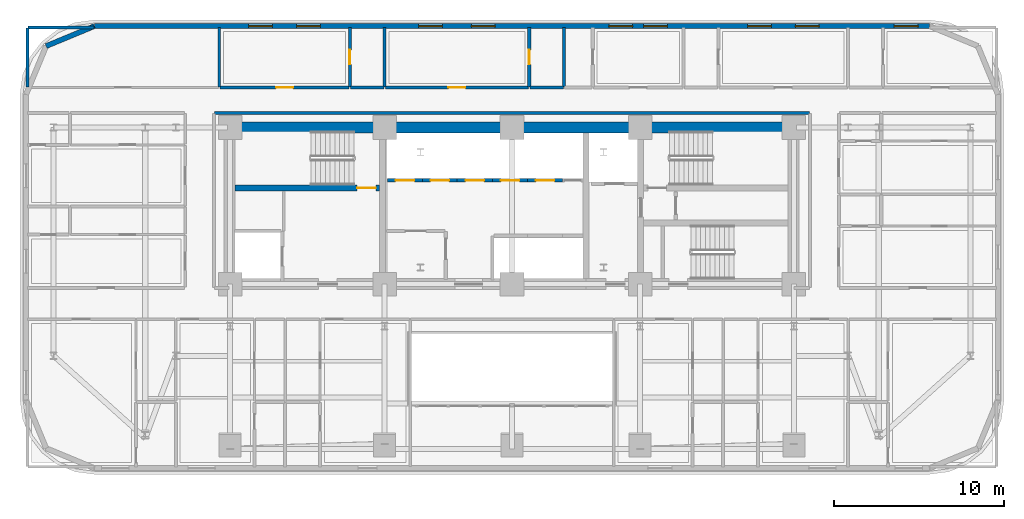
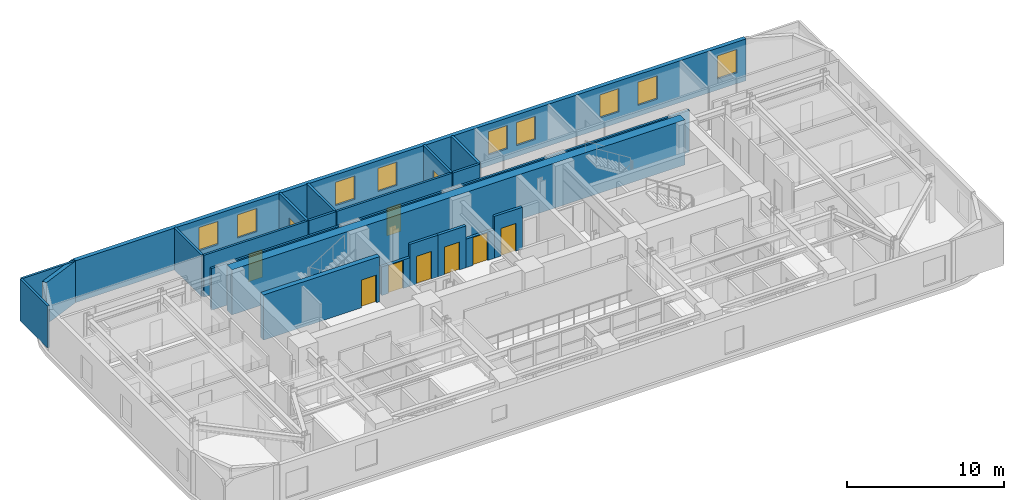
# One storey, part 10 of 16: 21 walls, 10 doors, 9 windows, 19 openings.
"""IFC4 building model written with IfcOpenShell, lengths in metres."""

from ifc_helpers import new_model, si_unit, direction, frame, frame_2d, origin, place, context, subcontext, project, spatial, rectangle, extrude, material, layer, layer_set, type_object, element, fill, save


model = new_model("IFC4")

# Units and contexts
model_context = context("Model", 3, precision=1e-05, world=origin(), true_north=direction((0.0, 1.0)))
body_context = subcontext(model_context, "Body", "Model", "MODEL_VIEW")
ifc_project = project(units=[si_unit("LENGTHUNIT", "METRE"), si_unit("AREAUNIT", "SQUARE_METRE"), si_unit("VOLUMEUNIT", "CUBIC_METRE"), si_unit("PLANEANGLEUNIT", "RADIAN"), si_unit("MASSUNIT", "GRAM", prefix="KILO")], contexts=[model_context])

# Site, building, storey
site_placement = place(None, origin())
site = spatial("IfcSite", under=ifc_project, at=site_placement, CompositionType="ELEMENT")
building_placement = place(site_placement, origin())
building = spatial("IfcBuilding", under=site, at=building_placement, Name="Zarnavel Station Tower", CompositionType="ELEMENT")
storey_placement = place(building_placement, frame((0.0, 0.0, 86.300048828125)))
storey = spatial("IfcBuildingStorey", under=building, at=storey_placement, Name="L23", CompositionType="ELEMENT", Elevation=86.300048828125)

# Wall, opening, door
ifc_material_1 = material(Name="Concrete C50/60", Category="concrete")
ifc_layer_1 = layer(ifc_material_1, 0.35009765625)
ifc_layer_set_1 = layer_set([ifc_layer_1], Name="CW_350")
wall_type_1 = type_object("IfcWallType", Name="CW_350", PredefinedType="SHEAR", material=ifc_layer_set_1)
wall_1_placement = place(storey_placement, frame((21.0048828125, 33.47998046875, 0.0), z_axis=(0.0, 0.0, 1.0), x_axis=(-1.0, 0.0, 0.0)))
wall_1 = element("IfcWall", 1, at=wall_1_placement, inside=storey, type_object=wall_type_1, Name="L23 Rear Core Shear Wall DIV-H1", PredefinedType="SHEAR", context=body_context, shape_type="SweptSolid", body=[
    extrude(rectangle(XDim=8.52978515625, YDim=0.35009765625, at=frame_2d((4.264892578125, 0.0))), origin(), (0.0, 0.0, 1.0), 3.5),
])
opening_1_placement = place(wall_1_placement, frame((0.219970703125, 0.0, 0.0)))
opening_1 = element("IfcOpeningElement", 2, at=opening_1_placement, cuts=wall_1, Name="Opening FD01", PredefinedType="OPENING", context=body_context, shape_type="SweptSolid", body=[
    extrude(rectangle(XDim=1.10009765625, YDim=2.14990234375, at=frame_2d((0.550048828125, 1.074951171875))), frame((0.0, 0.18505859375, 0.0), z_axis=(0.0, -1.0, 0.0), x_axis=(1.0, 0.0, 0.0)), (0.0, 0.0, 1.0), 0.3701171875),
])
ifc_material_2 = material(Name="Painted Galvanised Steel and Hardwood Leaf", Category="steel")
door_type_1 = type_object("IfcDoorType", Name="ID_STAIR_1100", OperationType="NOTDEFINED", PredefinedType="DOOR", material=ifc_material_2)
door_1_placement = place(opening_1_placement, origin())
door_1 = element("IfcDoor", 3, at=door_1_placement, inside=storey, type_object=door_type_1, Name="L23 Stair ST1 Lobby Fire Door", OperationType="SINGLE_SWING_LEFT", OverallHeight=2.14990234375, OverallWidth=1.10009765625, PredefinedType="DOOR", context=body_context, shape_type="SweptSolid", body=[
    extrude(rectangle(XDim=1.10009765625, YDim=2.14990234375, at=frame_2d((0.550048828125, 1.074951171875))), frame((0.0, 0.02490234375, 0.0), z_axis=(0.0, -1.0, 0.0), x_axis=(1.0, 0.0, 0.0)), (0.0, 0.0, 1.0), 0.050048828125),
])
fill(opening_1, door_1)

# Wall
ifc_material_3 = material(Name="Concrete C60/75", Category="concrete")
ifc_layer_2 = layer(ifc_material_3, 0.64990234375)
ifc_layer_set_2 = layer_set([ifc_layer_2], Name="CW_650")
wall_type_2 = type_object("IfcWallType", Name="CW_650", PredefinedType="SHEAR", material=ifc_layer_set_2)
wall_2_placement = place(storey_placement, frame((12.14990234375, 37.050048828125, 0.0), z_axis=(0.0, 0.0, 1.0), x_axis=(1.0, 0.0, 0.0)))
element("IfcWall", 4, at=wall_2_placement, inside=storey, type_object=wall_type_2, Name="L23 Rear Core Shear Wall N", PredefinedType="SHEAR", context=body_context, shape_type="SweptSolid", body=[
    extrude(rectangle(XDim=33.22998046875, YDim=0.64990234375, at=frame_2d((16.614990234375, 0.0))), origin(), (0.0, 0.0, 1.0), 3.5),
])

# Wall, openings, windows
ifc_material_4 = material(Name="Precast concrete C45/55 (Dark Basalt Finish)", Category="masonry")
ifc_layer_3 = layer(ifc_material_4, 0.300048828125)
ifc_layer_set_3 = layer_set([ifc_layer_3], Name="EW_BASALT_300")
wall_type_3 = type_object("IfcWallType", Name="EW_BASALT_300", PredefinedType="SOLIDWALL", material=ifc_layer_set_3)
wall_3_placement = place(storey_placement, frame((4.199951171875, 43.02001953125, 0.0), z_axis=(0.0, 0.0, 1.0), x_axis=(1.0, 0.0, 0.0)))
wall_3 = element("IfcWall", 5, at=wall_3_placement, inside=storey, type_object=wall_type_3, Name="L23 Exterior Basalt Masonry Frame Wall 06", PredefinedType="SOLIDWALL", context=body_context, shape_type="SweptSolid", body=[
    extrude(rectangle(XDim=49.199951171875, YDim=0.300048828125, at=frame_2d((24.60009765625, 0.0))), origin(), (0.0, 0.0, 1.0), 3.239990234375),
])
opening_2_placement = place(wall_3_placement, frame((9.090087890625, 0.0, 0.85009765625)))
opening_2 = element("IfcOpeningElement", 6, at=opening_2_placement, cuts=wall_3, Name="Opening WN01", PredefinedType="OPENING", context=body_context, shape_type="SweptSolid", body=[
    extrude(rectangle(XDim=1.39990234375, YDim=1.800048828125, at=frame_2d((0.699951171875, 0.89990234375))), frame((0.0, 0.159912109375, 0.0), z_axis=(0.0, -1.0, 0.0), x_axis=(1.0, 0.0, 0.0)), (0.0, 0.0, 1.0), 0.320068359375),
])
opening_3_placement = place(wall_3_placement, frame((11.919921875, 0.0, 0.85009765625)))
opening_3 = element("IfcOpeningElement", 7, at=opening_3_placement, cuts=wall_3, Name="Opening WN01", PredefinedType="OPENING", context=body_context, shape_type="SweptSolid", body=[
    extrude(rectangle(XDim=1.39990234375, YDim=1.800048828125, at=frame_2d((0.699951171875, 0.89990234375))), frame((0.0, 0.159912109375, 0.0), z_axis=(0.0, -1.0, 0.0), x_axis=(1.0, 0.0, 0.0)), (0.0, 0.0, 1.0), 0.320068359375),
])
opening_4_placement = place(wall_3_placement, frame((19.10498046875, 0.0, 0.85009765625)))
opening_4 = element("IfcOpeningElement", 8, at=opening_4_placement, cuts=wall_3, Name="Opening WN01", PredefinedType="OPENING", context=body_context, shape_type="SweptSolid", body=[
    extrude(rectangle(XDim=1.39990234375, YDim=1.800048828125, at=frame_2d((0.699951171875, 0.89990234375))), frame((0.0, 0.159912109375, 0.0), z_axis=(0.0, -1.0, 0.0), x_axis=(1.0, 0.0, 0.0)), (0.0, 0.0, 1.0), 0.320068359375),
])
opening_5_placement = place(wall_3_placement, frame((22.2099609375, 0.0, 0.85009765625)))
opening_5 = element("IfcOpeningElement", 9, at=opening_5_placement, cuts=wall_3, Name="Opening WN01", PredefinedType="OPENING", context=body_context, shape_type="SweptSolid", body=[
    extrude(rectangle(XDim=1.39990234375, YDim=1.800048828125, at=frame_2d((0.699951171875, 0.89990234375))), frame((0.0, 0.159912109375, 0.0), z_axis=(0.0, -1.0, 0.0), x_axis=(1.0, 0.0, 0.0)), (0.0, 0.0, 1.0), 0.320068359375),
])
opening_6_placement = place(wall_3_placement, frame((30.305908203125, 0.0, 0.85009765625)))
opening_6 = element("IfcOpeningElement", 10, at=opening_6_placement, cuts=wall_3, Name="Opening WN01", PredefinedType="OPENING", context=body_context, shape_type="SweptSolid", body=[
    extrude(rectangle(XDim=1.39990234375, YDim=1.800048828125, at=frame_2d((0.699951171875, 0.89990234375))), frame((0.0, 0.159912109375, 0.0), z_axis=(0.0, -1.0, 0.0), x_axis=(1.0, 0.0, 0.0)), (0.0, 0.0, 1.0), 0.320068359375),
])
opening_7_placement = place(wall_3_placement, frame((32.35693359375, 0.0, 0.85009765625)))
opening_7 = element("IfcOpeningElement", 11, at=opening_7_placement, cuts=wall_3, Name="Opening WN01", PredefinedType="OPENING", context=body_context, shape_type="SweptSolid", body=[
    extrude(rectangle(XDim=1.39990234375, YDim=1.800048828125, at=frame_2d((0.699951171875, 0.89990234375))), frame((0.0, 0.159912109375, 0.0), z_axis=(0.0, -1.0, 0.0), x_axis=(1.0, 0.0, 0.0)), (0.0, 0.0, 1.0), 0.320068359375),
])
opening_8_placement = place(wall_3_placement, frame((38.471923828125, 0.0, 0.85009765625)))
opening_8 = element("IfcOpeningElement", 12, at=opening_8_placement, cuts=wall_3, Name="Opening WN01", PredefinedType="OPENING", context=body_context, shape_type="SweptSolid", body=[
    extrude(rectangle(XDim=1.39990234375, YDim=1.800048828125, at=frame_2d((0.699951171875, 0.89990234375))), frame((0.0, 0.159912109375, 0.0), z_axis=(0.0, -1.0, 0.0), x_axis=(1.0, 0.0, 0.0)), (0.0, 0.0, 1.0), 0.320068359375),
])
opening_9_placement = place(wall_3_placement, frame((41.285888671875, 0.0, 0.85009765625)))
opening_9 = element("IfcOpeningElement", 13, at=opening_9_placement, cuts=wall_3, Name="Opening WN01", PredefinedType="OPENING", context=body_context, shape_type="SweptSolid", body=[
    extrude(rectangle(XDim=1.39990234375, YDim=1.800048828125, at=frame_2d((0.699951171875, 0.89990234375))), frame((0.0, 0.159912109375, 0.0), z_axis=(0.0, -1.0, 0.0), x_axis=(1.0, 0.0, 0.0)), (0.0, 0.0, 1.0), 0.320068359375),
])
opening_10_placement = place(wall_3_placement, frame((47.114990234375, 0.0, 0.85009765625)))
opening_10 = element("IfcOpeningElement", 14, at=opening_10_placement, cuts=wall_3, Name="Opening WN01", PredefinedType="OPENING", context=body_context, shape_type="SweptSolid", body=[
    extrude(rectangle(XDim=1.39990234375, YDim=1.800048828125, at=frame_2d((0.699951171875, 0.89990234375))), frame((0.0, 0.159912109375, 0.0), z_axis=(0.0, -1.0, 0.0), x_axis=(1.0, 0.0, 0.0)), (0.0, 0.0, 1.0), 0.320068359375),
])
ifc_material_5 = material(Name="Thermally Broken Black Aluminium and Low-E Dark Glass", Category="aluminium")
window_type = type_object("IfcWindowType", Name="WN_1400x1800", PartitioningType="DOUBLE_PANEL_VERTICAL", PredefinedType="WINDOW", material=ifc_material_5)
window_1_placement = place(opening_2_placement, origin())
window_1 = element("IfcWindow", 15, at=window_1_placement, inside=storey, type_object=window_type, Name="L23 Recessed Facade Window 01", OverallHeight=1.800048828125, OverallWidth=1.39990234375, PartitioningType="SINGLE_PANEL", PredefinedType="WINDOW", context=body_context, shape_type="SweptSolid", body=[
    extrude(rectangle(XDim=1.39990234375, YDim=1.800048828125, at=frame_2d((0.699951171875, 0.89990234375))), frame((0.0, 0.030029296875, 0.0), z_axis=(0.0, -1.0, 0.0), x_axis=(1.0, 0.0, 0.0)), (0.0, 0.0, 1.0), 0.06005859375),
])
fill(opening_2, window_1)
window_2_placement = place(opening_3_placement, origin())
window_2 = element("IfcWindow", 16, at=window_2_placement, inside=storey, type_object=window_type, Name="L23 Recessed Facade Window 02", OverallHeight=1.800048828125, OverallWidth=1.39990234375, PartitioningType="SINGLE_PANEL", PredefinedType="WINDOW", context=body_context, shape_type="SweptSolid", body=[
    extrude(rectangle(XDim=1.39990234375, YDim=1.800048828125, at=frame_2d((0.699951171875, 0.89990234375))), frame((0.0, 0.030029296875, 0.0), z_axis=(0.0, -1.0, 0.0), x_axis=(1.0, 0.0, 0.0)), (0.0, 0.0, 1.0), 0.06005859375),
])
fill(opening_3, window_2)
window_3_placement = place(opening_4_placement, origin())
window_3 = element("IfcWindow", 17, at=window_3_placement, inside=storey, type_object=window_type, Name="L23 Recessed Facade Window 03", OverallHeight=1.800048828125, OverallWidth=1.39990234375, PartitioningType="SINGLE_PANEL", PredefinedType="WINDOW", context=body_context, shape_type="SweptSolid", body=[
    extrude(rectangle(XDim=1.39990234375, YDim=1.800048828125, at=frame_2d((0.699951171875, 0.89990234375))), frame((0.0, 0.030029296875, 0.0), z_axis=(0.0, -1.0, 0.0), x_axis=(1.0, 0.0, 0.0)), (0.0, 0.0, 1.0), 0.06005859375),
])
fill(opening_4, window_3)
window_4_placement = place(opening_5_placement, origin())
window_4 = element("IfcWindow", 18, at=window_4_placement, inside=storey, type_object=window_type, Name="L23 Recessed Facade Window 04", OverallHeight=1.800048828125, OverallWidth=1.39990234375, PartitioningType="SINGLE_PANEL", PredefinedType="WINDOW", context=body_context, shape_type="SweptSolid", body=[
    extrude(rectangle(XDim=1.39990234375, YDim=1.800048828125, at=frame_2d((0.699951171875, 0.89990234375))), frame((0.0, 0.030029296875, 0.0), z_axis=(0.0, -1.0, 0.0), x_axis=(1.0, 0.0, 0.0)), (0.0, 0.0, 1.0), 0.06005859375),
])
fill(opening_5, window_4)
window_5_placement = place(opening_6_placement, origin())
window_5 = element("IfcWindow", 19, at=window_5_placement, inside=storey, type_object=window_type, Name="L23 Recessed Facade Window 05", OverallHeight=1.800048828125, OverallWidth=1.39990234375, PartitioningType="SINGLE_PANEL", PredefinedType="WINDOW", context=body_context, shape_type="SweptSolid", body=[
    extrude(rectangle(XDim=1.39990234375, YDim=1.800048828125, at=frame_2d((0.699951171875, 0.89990234375))), frame((0.0, 0.030029296875, 0.0), z_axis=(0.0, -1.0, 0.0), x_axis=(1.0, 0.0, 0.0)), (0.0, 0.0, 1.0), 0.06005859375),
])
fill(opening_6, window_5)
window_6_placement = place(opening_7_placement, origin())
window_6 = element("IfcWindow", 20, at=window_6_placement, inside=storey, type_object=window_type, Name="L23 Recessed Facade Window 06", OverallHeight=1.800048828125, OverallWidth=1.39990234375, PartitioningType="SINGLE_PANEL", PredefinedType="WINDOW", context=body_context, shape_type="SweptSolid", body=[
    extrude(rectangle(XDim=1.39990234375, YDim=1.800048828125, at=frame_2d((0.699951171875, 0.89990234375))), frame((0.0, 0.030029296875, 0.0), z_axis=(0.0, -1.0, 0.0), x_axis=(1.0, 0.0, 0.0)), (0.0, 0.0, 1.0), 0.06005859375),
])
fill(opening_7, window_6)
window_7_placement = place(opening_8_placement, origin())
window_7 = element("IfcWindow", 21, at=window_7_placement, inside=storey, type_object=window_type, Name="L23 Recessed Facade Window 07", OverallHeight=1.800048828125, OverallWidth=1.39990234375, PartitioningType="SINGLE_PANEL", PredefinedType="WINDOW", context=body_context, shape_type="SweptSolid", body=[
    extrude(rectangle(XDim=1.39990234375, YDim=1.800048828125, at=frame_2d((0.699951171875, 0.89990234375))), frame((0.0, 0.030029296875, 0.0), z_axis=(0.0, -1.0, 0.0), x_axis=(1.0, 0.0, 0.0)), (0.0, 0.0, 1.0), 0.06005859375),
])
fill(opening_8, window_7)
window_8_placement = place(opening_9_placement, origin())
window_8 = element("IfcWindow", 22, at=window_8_placement, inside=storey, type_object=window_type, Name="L23 Recessed Facade Window 08", OverallHeight=1.800048828125, OverallWidth=1.39990234375, PartitioningType="SINGLE_PANEL", PredefinedType="WINDOW", context=body_context, shape_type="SweptSolid", body=[
    extrude(rectangle(XDim=1.39990234375, YDim=1.800048828125, at=frame_2d((0.699951171875, 0.89990234375))), frame((0.0, 0.030029296875, 0.0), z_axis=(0.0, -1.0, 0.0), x_axis=(1.0, 0.0, 0.0)), (0.0, 0.0, 1.0), 0.06005859375),
])
fill(opening_9, window_8)
window_9_placement = place(opening_10_placement, origin())
window_9 = element("IfcWindow", 23, at=window_9_placement, inside=storey, type_object=window_type, Name="L23 Recessed Facade Window 09", OverallHeight=1.800048828125, OverallWidth=1.39990234375, PartitioningType="SINGLE_PANEL", PredefinedType="WINDOW", context=body_context, shape_type="SweptSolid", body=[
    extrude(rectangle(XDim=1.39990234375, YDim=1.800048828125, at=frame_2d((0.699951171875, 0.89990234375))), frame((0.0, 0.030029296875, 0.0), z_axis=(0.0, -1.0, 0.0), x_axis=(1.0, 0.0, 0.0)), (0.0, 0.0, 1.0), 0.06005859375),
])
fill(opening_10, window_9)

# Wall
wall_4_placement = place(storey_placement, frame((1.357421875, 41.842529296875, 0.0), z_axis=(0.0, 0.0, 1.0), x_axis=(0.923870793506, 0.382704529509, 0.0)))
element("IfcWall", 24, at=wall_4_placement, inside=storey, type_object=wall_type_3, Name="L23 Exterior Basalt Masonry Frame Wall 07", PredefinedType="SOLIDWALL", context=body_context, shape_type="SweptSolid", body=[
    extrude(rectangle(XDim=3.07666015625, YDim=0.300048828125, at=frame_2d((1.538330078125, 0.0))), origin(), (0.0, 0.0, 1.0), 3.239990234375),
])

# Wall, opening, door
ifc_material_6 = material(Name="Gypsum Twin-Stud Acoustic Fire Partition", Category="concrete")
ifc_layer_4 = layer(ifc_material_6, 0.159912109375)
ifc_layer_set_4 = layer_set([ifc_layer_4], Name="PT_DEMISE_160")
wall_type_4 = type_object("IfcWallType", Name="PT_DEMISE_160", PredefinedType="PARTITIONING", material=ifc_layer_set_4)
wall_5_placement = place(storey_placement, frame((11.60009765625, 39.39990234375, 0.0), z_axis=(0.0, 0.0, 1.0), x_axis=(1.0, 0.0, 0.0)))
wall_5 = element("IfcWall", 25, at=wall_5_placement, inside=storey, type_object=wall_type_4, Name="L23 Partition COR-N-HN1R", PredefinedType="PARTITIONING", context=body_context, shape_type="SweptSolid", body=[
    extrude(rectangle(XDim=7.60986328125, YDim=0.159912109375, at=frame_2d((3.804931640625, 0.0))), origin(), (0.0, 0.0, 1.0), 3.239990234375),
])
opening_11_placement = place(wall_5_placement, frame((3.304931640625, 0.0, 0.0)))
opening_11 = element("IfcOpeningElement", 26, at=opening_11_placement, cuts=wall_5, Name="Opening FD02", PredefinedType="OPENING", context=body_context, shape_type="SweptSolid", body=[
    extrude(rectangle(XDim=1.0, YDim=2.14990234375, at=frame_2d((0.5, 1.074951171875))), frame((0.0, 0.08984375, 0.0), z_axis=(0.0, -1.0, 0.0), x_axis=(1.0, 0.0, 0.0)), (0.0, 0.0, 1.0), 0.179931640625),
])
ifc_material_7 = material(Name="Painted Galvanised Steel and Hardwood Leaf", Category="steel")
door_type_2 = type_object("IfcDoorType", Name="ID_ENTRY_1000", OperationType="NOTDEFINED", PredefinedType="DOOR", material=ifc_material_7)
door_2_placement = place(opening_11_placement, origin())
door_2 = element("IfcDoor", 27, at=door_2_placement, inside=storey, type_object=door_type_2, Name="L23 Door COR-N-HN1R", OperationType="SINGLE_SWING_RIGHT", OverallHeight=2.14990234375, OverallWidth=1.0, PredefinedType="DOOR", context=body_context, shape_type="SweptSolid", body=[
    extrude(rectangle(XDim=1.0, YDim=2.14990234375, at=frame_2d((0.5, 1.074951171875))), frame((0.0, 0.02490234375, 0.0), z_axis=(0.0, -1.0, 0.0), x_axis=(1.0, 0.0, 0.0)), (0.0, 0.0, 1.0), 0.050048828125),
])
fill(opening_11, door_2)

wall_6_placement = place(storey_placement, frame((21.340087890625, 39.39990234375, 0.0), z_axis=(0.0, 0.0, 1.0), x_axis=(1.0, 0.0, 0.0)))
wall_6 = element("IfcWall", 28, at=wall_6_placement, inside=storey, type_object=wall_type_4, Name="L23 Partition COR-N-HN2R", PredefinedType="PARTITIONING", context=body_context, shape_type="SweptSolid", body=[
    extrude(rectangle(XDim=8.434814453125, YDim=0.159912109375, at=frame_2d((4.21728515625, 0.0))), origin(), (0.0, 0.0, 1.0), 3.239990234375),
])
opening_12_placement = place(wall_6_placement, frame((3.717529296875, 0.0, 0.0)))
opening_12 = element("IfcOpeningElement", 29, at=opening_12_placement, cuts=wall_6, Name="Opening FD02", PredefinedType="OPENING", context=body_context, shape_type="SweptSolid", body=[
    extrude(rectangle(XDim=1.0, YDim=2.14990234375, at=frame_2d((0.5, 1.074951171875))), frame((0.0, 0.08984375, 0.0), z_axis=(0.0, -1.0, 0.0), x_axis=(1.0, 0.0, 0.0)), (0.0, 0.0, 1.0), 0.179931640625),
])
door_3_placement = place(opening_12_placement, origin())
door_3 = element("IfcDoor", 30, at=door_3_placement, inside=storey, type_object=door_type_2, Name="L23 Door COR-N-HN2R", OperationType="SINGLE_SWING_LEFT", OverallHeight=2.14990234375, OverallWidth=1.0, PredefinedType="DOOR", context=body_context, shape_type="SweptSolid", body=[
    extrude(rectangle(XDim=1.0, YDim=2.14990234375, at=frame_2d((0.5, 1.074951171875))), frame((0.0, 0.02490234375, 0.0), z_axis=(0.0, -1.0, 0.0), x_axis=(1.0, 0.0, 0.0)), (0.0, 0.0, 1.0), 0.050048828125),
])
fill(opening_12, door_3)

# Walls
wall_7_placement = place(storey_placement, frame((11.56005859375, 39.43994140625, 0.0), z_axis=(0.0, 0.0, 1.0), x_axis=(0.0, 1.0, 0.0)))
element("IfcWall", 31, at=wall_7_placement, inside=storey, type_object=wall_type_4, Name="L23 Partition HSKP-HN1R", PredefinedType="PARTITIONING", context=body_context, shape_type="SweptSolid", body=[
    extrude(rectangle(XDim=3.5, YDim=0.159912109375, at=frame_2d((1.75, 0.0))), origin(), (0.0, 0.0, 1.0), 3.239990234375),
])
wall_8_placement = place(storey_placement, frame((11.280029296875, 37.89990234375, 0.0), z_axis=(0.0, 0.0, 1.0), x_axis=(1.0, 0.0, 0.0)))
element("IfcWall", 32, at=wall_8_placement, inside=storey, type_object=wall_type_4, Name="L23 Enclosure Wall COR-N", PredefinedType="PARTITIONING", context=body_context, shape_type="SweptSolid", body=[
    extrude(rectangle(XDim=35.0400390625, YDim=0.159912109375, at=frame_2d((17.52001953125, 0.0))), origin(), (0.0, 0.0, 1.0), 3.239990234375),
])
wall_9_placement = place(storey_placement, frame((0.2900390625, 42.93994140625, 0.0), z_axis=(0.0, 0.0, 1.0), x_axis=(1.0, 0.0, 0.0)))
element("IfcWall", 33, at=wall_9_placement, inside=storey, type_object=wall_type_4, Name="L23 Enclosure Wall HSKP", PredefinedType="PARTITIONING", context=body_context, shape_type="SweptSolid", body=[
    extrude(rectangle(XDim=3.8798828125, YDim=0.159912109375, at=frame_2d((1.93994140625, 0.0))), origin(), (0.0, 0.0, 1.0), 3.239990234375),
])
wall_10_placement = place(storey_placement, frame((0.260009765625, 39.429931640625, 0.0), z_axis=(0.0, 0.0, 1.0), x_axis=(0.0, 1.0, 0.0)))
element("IfcWall", 34, at=wall_10_placement, inside=storey, type_object=wall_type_4, Name="L23 Enclosure Wall HSKP", PredefinedType="PARTITIONING", context=body_context, shape_type="SweptSolid", body=[
    extrude(rectangle(XDim=3.47998046875, YDim=0.159912109375, at=frame_2d((1.739990234375, 0.0))), origin(), (0.0, 0.0, 1.0), 3.239990234375),
])

# Wall, opening, door
ifc_material_8 = material(Name="Precast concrete C45/55 (Fire Shaft Blockwork)", Category="masonry")
ifc_layer_5 = layer(ifc_material_8, 0.199951171875)
ifc_layer_set_5 = layer_set([ifc_layer_5], Name="PT_SHAFT_200")
wall_type_5 = type_object("IfcWallType", Name="PT_SHAFT_200", PredefinedType="PARTITIONING", material=ifc_layer_set_5)
wall_11_placement = place(storey_placement, frame((21.4599609375, 33.929931640625, 0.0), z_axis=(0.0, 0.0, 1.0), x_axis=(1.0, 0.0, 0.0)))
wall_11 = element("IfcWall", 35, at=wall_11_placement, inside=storey, type_object=wall_type_5, Name="L23 Lift PL-L1 Shaft Front Wall", PredefinedType="PARTITIONING", context=body_context, shape_type="SweptSolid", body=[
    extrude(rectangle(XDim=2.06494140625, YDim=0.199951171875, at=frame_2d((1.032470703125, 0.0))), origin(), (0.0, 0.0, 1.0), 2.2119140625),
])
opening_13_placement = place(wall_11_placement, frame((0.482421875, 0.0, 0.0)))
opening_13 = element("IfcOpeningElement", 36, at=opening_13_placement, cuts=wall_11, Name="Opening LD02", PredefinedType="OPENING", context=body_context, shape_type="SweptSolid", body=[
    extrude(rectangle(XDim=1.10009765625, YDim=2.14990234375, at=frame_2d((0.550048828125, 1.074951171875))), frame((0.0, 0.10986328125, 0.0), z_axis=(0.0, -1.0, 0.0), x_axis=(1.0, 0.0, 0.0)), (0.0, 0.0, 1.0), 0.219970703125),
])
ifc_material_9 = material(Name="Painted Galvanised Steel and Hardwood Leaf", Category="steel")
door_type_3 = type_object("IfcDoorType", Name="LD_PAX_1100", OperationType="DOUBLE_DOOR_SLIDING", PredefinedType="DOOR", material=ifc_material_9)
door_4_placement = place(opening_13_placement, origin())
door_4 = element("IfcDoor", 37, at=door_4_placement, inside=storey, type_object=door_type_3, Name="L23 Lift PL-L1 Sliding Landing Door", OperationType="DOUBLE_DOOR_SLIDING", OverallHeight=2.14990234375, OverallWidth=1.10009765625, PredefinedType="DOOR", context=body_context, shape_type="SweptSolid", body=[
    extrude(rectangle(XDim=1.10009765625, YDim=2.14990234375, at=frame_2d((0.550048828125, 1.074951171875))), frame((0.0, 0.02490234375, 0.0), z_axis=(0.0, -1.0, 0.0), x_axis=(1.0, 0.0, 0.0)), (0.0, 0.0, 1.0), 0.050048828125),
])
fill(opening_13, door_4)

wall_12_placement = place(storey_placement, frame((23.52490234375, 33.929931640625, 0.0), z_axis=(0.0, 0.0, 1.0), x_axis=(1.0, 0.0, 0.0)))
wall_12 = element("IfcWall", 38, at=wall_12_placement, inside=storey, type_object=wall_type_5, Name="L23 Lift PL-L2 Shaft Front Wall", PredefinedType="PARTITIONING", context=body_context, shape_type="SweptSolid", body=[
    extrude(rectangle(XDim=2.050048828125, YDim=0.199951171875, at=frame_2d((1.02490234375, 0.0))), origin(), (0.0, 0.0, 1.0), 3.239990234375),
])
opening_14_placement = place(wall_12_placement, frame((0.47509765625, 0.0, 0.0)))
opening_14 = element("IfcOpeningElement", 39, at=opening_14_placement, cuts=wall_12, Name="Opening LD02", PredefinedType="OPENING", context=body_context, shape_type="SweptSolid", body=[
    extrude(rectangle(XDim=1.10009765625, YDim=2.14990234375, at=frame_2d((0.550048828125, 1.074951171875))), frame((0.0, 0.10986328125, 0.0), z_axis=(0.0, -1.0, 0.0), x_axis=(1.0, 0.0, 0.0)), (0.0, 0.0, 1.0), 0.219970703125),
])
door_5_placement = place(opening_14_placement, origin())
door_5 = element("IfcDoor", 40, at=door_5_placement, inside=storey, type_object=door_type_3, Name="L23 Lift PL-L2 Sliding Landing Door", OperationType="DOUBLE_DOOR_SLIDING", OverallHeight=2.14990234375, OverallWidth=1.10009765625, PredefinedType="DOOR", context=body_context, shape_type="SweptSolid", body=[
    extrude(rectangle(XDim=1.10009765625, YDim=2.14990234375, at=frame_2d((0.550048828125, 1.074951171875))), frame((0.0, 0.02490234375, 0.0), z_axis=(0.0, -1.0, 0.0), x_axis=(1.0, 0.0, 0.0)), (0.0, 0.0, 1.0), 0.050048828125),
])
fill(opening_14, door_5)

wall_13_placement = place(storey_placement, frame((25.574951171875, 33.929931640625, 0.0), z_axis=(0.0, 0.0, 1.0), x_axis=(1.0, 0.0, 0.0)))
wall_13 = element("IfcWall", 41, at=wall_13_placement, inside=storey, type_object=wall_type_5, Name="L23 Lift PL-L3 Shaft Front Wall", PredefinedType="PARTITIONING", context=body_context, shape_type="SweptSolid", body=[
    extrude(rectangle(XDim=2.074951171875, YDim=0.199951171875, at=frame_2d((1.03759765625, 0.0))), origin(), (0.0, 0.0, 1.0), 3.239990234375),
])
opening_15_placement = place(wall_13_placement, frame((0.487548828125, 0.0, 0.0)))
opening_15 = element("IfcOpeningElement", 42, at=opening_15_placement, cuts=wall_13, Name="Opening LD02", PredefinedType="OPENING", context=body_context, shape_type="SweptSolid", body=[
    extrude(rectangle(XDim=1.10009765625, YDim=2.14990234375, at=frame_2d((0.550048828125, 1.074951171875))), frame((0.0, 0.10986328125, 0.0), z_axis=(0.0, -1.0, 0.0), x_axis=(1.0, 0.0, 0.0)), (0.0, 0.0, 1.0), 0.219970703125),
])
door_6_placement = place(opening_15_placement, origin())
door_6 = element("IfcDoor", 43, at=door_6_placement, inside=storey, type_object=door_type_3, Name="L23 Lift PL-L3 Sliding Landing Door", OperationType="DOUBLE_DOOR_SLIDING", OverallHeight=2.14990234375, OverallWidth=1.10009765625, PredefinedType="DOOR", context=body_context, shape_type="SweptSolid", body=[
    extrude(rectangle(XDim=1.10009765625, YDim=2.14990234375, at=frame_2d((0.550048828125, 1.074951171875))), frame((0.0, 0.02490234375, 0.0), z_axis=(0.0, -1.0, 0.0), x_axis=(1.0, 0.0, 0.0)), (0.0, 0.0, 1.0), 0.050048828125),
])
fill(opening_15, door_6)

wall_14_placement = place(storey_placement, frame((27.64990234375, 33.929931640625, 0.0), z_axis=(0.0, 0.0, 1.0), x_axis=(1.0, 0.0, 0.0)))
wall_14 = element("IfcWall", 44, at=wall_14_placement, inside=storey, type_object=wall_type_5, Name="L23 Lift PL-M1 Shaft Front Wall", PredefinedType="PARTITIONING", context=body_context, shape_type="SweptSolid", body=[
    extrude(rectangle(XDim=2.0751953125, YDim=0.199951171875, at=frame_2d((1.03759765625, 0.0))), origin(), (0.0, 0.0, 1.0), 2.2119140625),
])
opening_16_placement = place(wall_14_placement, frame((0.487548828125, 0.0, 0.0)))
opening_16 = element("IfcOpeningElement", 45, at=opening_16_placement, cuts=wall_14, Name="Opening LD02", PredefinedType="OPENING", context=body_context, shape_type="SweptSolid", body=[
    extrude(rectangle(XDim=1.10009765625, YDim=2.14990234375, at=frame_2d((0.550048828125, 1.074951171875))), frame((0.0, 0.10986328125, 0.0), z_axis=(0.0, -1.0, 0.0), x_axis=(1.0, 0.0, 0.0)), (0.0, 0.0, 1.0), 0.219970703125),
])
door_7_placement = place(opening_16_placement, origin())
door_7 = element("IfcDoor", 46, at=door_7_placement, inside=storey, type_object=door_type_3, Name="L23 Lift PL-M1 Sliding Landing Door", OperationType="DOUBLE_DOOR_SLIDING", OverallHeight=2.14990234375, OverallWidth=1.10009765625, PredefinedType="DOOR", context=body_context, shape_type="SweptSolid", body=[
    extrude(rectangle(XDim=1.10009765625, YDim=2.14990234375, at=frame_2d((0.550048828125, 1.074951171875))), frame((0.0, 0.02490234375, 0.0), z_axis=(0.0, -1.0, 0.0), x_axis=(1.0, 0.0, 0.0)), (0.0, 0.0, 1.0), 0.050048828125),
])
fill(opening_16, door_7)

wall_15_placement = place(storey_placement, frame((29.72509765625, 33.929931640625, 0.0), z_axis=(0.0, 0.0, 1.0), x_axis=(1.0, 0.0, 0.0)))
wall_15 = element("IfcWall", 47, at=wall_15_placement, inside=storey, type_object=wall_type_5, Name="L23 Lift PL-M2 Shaft Front Wall", PredefinedType="PARTITIONING", context=body_context, shape_type="SweptSolid", body=[
    extrude(rectangle(XDim=2.0498046875, YDim=0.199951171875, at=frame_2d((1.02490234375, 0.0))), origin(), (0.0, 0.0, 1.0), 3.239990234375),
])
opening_17_placement = place(wall_15_placement, frame((0.47509765625, 0.0, 0.0)))
opening_17 = element("IfcOpeningElement", 48, at=opening_17_placement, cuts=wall_15, Name="Opening LD02", PredefinedType="OPENING", context=body_context, shape_type="SweptSolid", body=[
    extrude(rectangle(XDim=1.10009765625, YDim=2.14990234375, at=frame_2d((0.550048828125, 1.074951171875))), frame((0.0, 0.10986328125, 0.0), z_axis=(0.0, -1.0, 0.0), x_axis=(1.0, 0.0, 0.0)), (0.0, 0.0, 1.0), 0.219970703125),
])
door_8_placement = place(opening_17_placement, origin())
door_8 = element("IfcDoor", 49, at=door_8_placement, inside=storey, type_object=door_type_3, Name="L23 Lift PL-M2 Sliding Landing Door", OperationType="DOUBLE_DOOR_SLIDING", OverallHeight=2.14990234375, OverallWidth=1.10009765625, PredefinedType="DOOR", context=body_context, shape_type="SweptSolid", body=[
    extrude(rectangle(XDim=1.10009765625, YDim=2.14990234375, at=frame_2d((0.550048828125, 1.074951171875))), frame((0.0, 0.02490234375, 0.0), z_axis=(0.0, -1.0, 0.0), x_axis=(1.0, 0.0, 0.0)), (0.0, 0.0, 1.0), 0.050048828125),
])
fill(opening_17, door_8)

# Walls
ifc_material_10 = material(Name="Moisture-Resistant Plumbing Chase Wall", Category="concrete")
ifc_layer_6 = layer(ifc_material_10, 0.179931640625)
ifc_layer_set_6 = layer_set([ifc_layer_6], Name="PW_PLUMB_180")
wall_type_6 = type_object("IfcWallType", Name="PW_PLUMB_180", PredefinedType="PLUMBINGWALL", material=ifc_layer_set_6)
for number, where, z_axis, x_axis, name in (
    (50, (19.2900390625, 39.39990234375, 0.0), (0.0, 0.0, 1.0), (1.0, 0.0, 0.0), "L23 Partition COR-N-HN1B"),
    (51, (29.85498046875, 39.39990234375, 0.0), (0.0, 0.0, 1.0), (1.0, 0.0, 0.0), "L23 Partition COR-N-HN2B"),
):
    element("IfcWall", number, at=place(storey_placement, frame(where, z_axis=z_axis, x_axis=x_axis)), inside=storey, type_object=wall_type_6, Name=name, PredefinedType="PLUMBINGWALL", context=body_context, shape_type="SweptSolid", body=[
        extrude(rectangle(XDim=1.969970703125, YDim=0.179931640625, at=frame_2d((0.98486328125, 0.0))), origin(), (0.0, 0.0, 1.0), 3.239990234375),
    ])

# Wall, opening, door
wall_16_placement = place(storey_placement, frame((19.25, 39.43994140625, 0.0), z_axis=(0.0, 0.0, 1.0), x_axis=(0.0, 1.0, 0.0)))
wall_16 = element("IfcWall", 52, at=wall_16_placement, inside=storey, type_object=wall_type_6, Name="L23 Partition HN1R-HN1B", PredefinedType="PLUMBINGWALL", context=body_context, shape_type="SweptSolid", body=[
    extrude(rectangle(XDim=3.5, YDim=0.179931640625, at=frame_2d((1.75, 0.0))), origin(), (0.0, 0.0, 1.0), 3.239990234375),
])
opening_18_placement = place(wall_16_placement, frame((1.324951171875, 0.0, 0.0)))
opening_18 = element("IfcOpeningElement", 53, at=opening_18_placement, cuts=wall_16, Name="Opening ID02", PredefinedType="OPENING", context=body_context, shape_type="SweptSolid", body=[
    extrude(rectangle(XDim=0.85009765625, YDim=2.10009765625, at=frame_2d((0.425048828125, 1.050048828125))), frame((0.0, 0.099853515625, 0.0), z_axis=(0.0, -1.0, 0.0), x_axis=(1.0, 0.0, 0.0)), (0.0, 0.0, 1.0), 0.199951171875),
])
ifc_material_11 = material(Name="Painted Galvanised Steel and Hardwood Leaf", Category="steel")
door_type_4 = type_object("IfcDoorType", Name="ID_BATH_850", OperationType="NOTDEFINED", PredefinedType="DOOR", material=ifc_material_11)
door_9_placement = place(opening_18_placement, origin())
door_9 = element("IfcDoor", 54, at=door_9_placement, inside=storey, type_object=door_type_4, Name="L23 Door HN1R-HN1B", OperationType="SINGLE_SWING_LEFT", OverallHeight=2.10009765625, OverallWidth=0.85009765625, PredefinedType="DOOR", context=body_context, shape_type="SweptSolid", body=[
    extrude(rectangle(XDim=0.85009765625, YDim=2.10009765625, at=frame_2d((0.425048828125, 1.050048828125))), frame((0.0, 0.02490234375, 0.0), z_axis=(0.0, -1.0, 0.0), x_axis=(1.0, 0.0, 0.0)), (0.0, 0.0, 1.0), 0.050048828125),
])
fill(opening_18, door_9)

# Wall
wall_17_placement = place(storey_placement, frame((21.300048828125, 39.43994140625, 0.0), z_axis=(0.0, 0.0, 1.0), x_axis=(0.0, 1.0, 0.0)))
element("IfcWall", 55, at=wall_17_placement, inside=storey, type_object=wall_type_6, Name="L23 Partition HN1B-HN2R", PredefinedType="PLUMBINGWALL", context=body_context, shape_type="SweptSolid", body=[
    extrude(rectangle(XDim=3.5, YDim=0.179931640625, at=frame_2d((1.75, 0.0))), origin(), (0.0, 0.0, 1.0), 3.239990234375),
])

# Wall, opening, door
wall_18_placement = place(storey_placement, frame((29.81494140625, 39.43994140625, 0.0), z_axis=(0.0, 0.0, 1.0), x_axis=(0.0, 1.0, 0.0)))
wall_18 = element("IfcWall", 56, at=wall_18_placement, inside=storey, type_object=wall_type_6, Name="L23 Partition HN2R-HN2B", PredefinedType="PLUMBINGWALL", context=body_context, shape_type="SweptSolid", body=[
    extrude(rectangle(XDim=3.5, YDim=0.179931640625, at=frame_2d((1.75, 0.0))), origin(), (0.0, 0.0, 1.0), 3.239990234375),
])
opening_19_placement = place(wall_18_placement, frame((1.324951171875, 0.0, 0.0)))
opening_19 = element("IfcOpeningElement", 57, at=opening_19_placement, cuts=wall_18, Name="Opening ID02", PredefinedType="OPENING", context=body_context, shape_type="SweptSolid", body=[
    extrude(rectangle(XDim=0.85009765625, YDim=2.10009765625, at=frame_2d((0.425048828125, 1.050048828125))), frame((0.0, 0.099853515625, 0.0), z_axis=(0.0, -1.0, 0.0), x_axis=(1.0, 0.0, 0.0)), (0.0, 0.0, 1.0), 0.199951171875),
])
door_10_placement = place(opening_19_placement, origin())
door_10 = element("IfcDoor", 58, at=door_10_placement, inside=storey, type_object=door_type_4, Name="L23 Door HN2R-HN2B", OperationType="SINGLE_SWING_RIGHT", OverallHeight=2.10009765625, OverallWidth=0.85009765625, PredefinedType="DOOR", context=body_context, shape_type="SweptSolid", body=[
    extrude(rectangle(XDim=0.85009765625, YDim=2.10009765625, at=frame_2d((0.425048828125, 1.050048828125))), frame((0.0, 0.02490234375, 0.0), z_axis=(0.0, -1.0, 0.0), x_axis=(1.0, 0.0, 0.0)), (0.0, 0.0, 1.0), 0.050048828125),
])
fill(opening_19, door_10)

# Wall
wall_19_placement = place(storey_placement, frame((31.864990234375, 39.43994140625, 0.0), z_axis=(0.0, 0.0, 1.0), x_axis=(0.0, 1.0, 0.0)))
element("IfcWall", 59, at=wall_19_placement, inside=storey, type_object=wall_type_6, Name="L23 Partition HN2B-HN3B", PredefinedType="PLUMBINGWALL", context=body_context, shape_type="SweptSolid", body=[
    extrude(rectangle(XDim=3.5, YDim=0.179931640625, at=frame_2d((1.75, 0.0))), origin(), (0.0, 0.0, 1.0), 3.239990234375),
])

save(model, "model.ifc")
